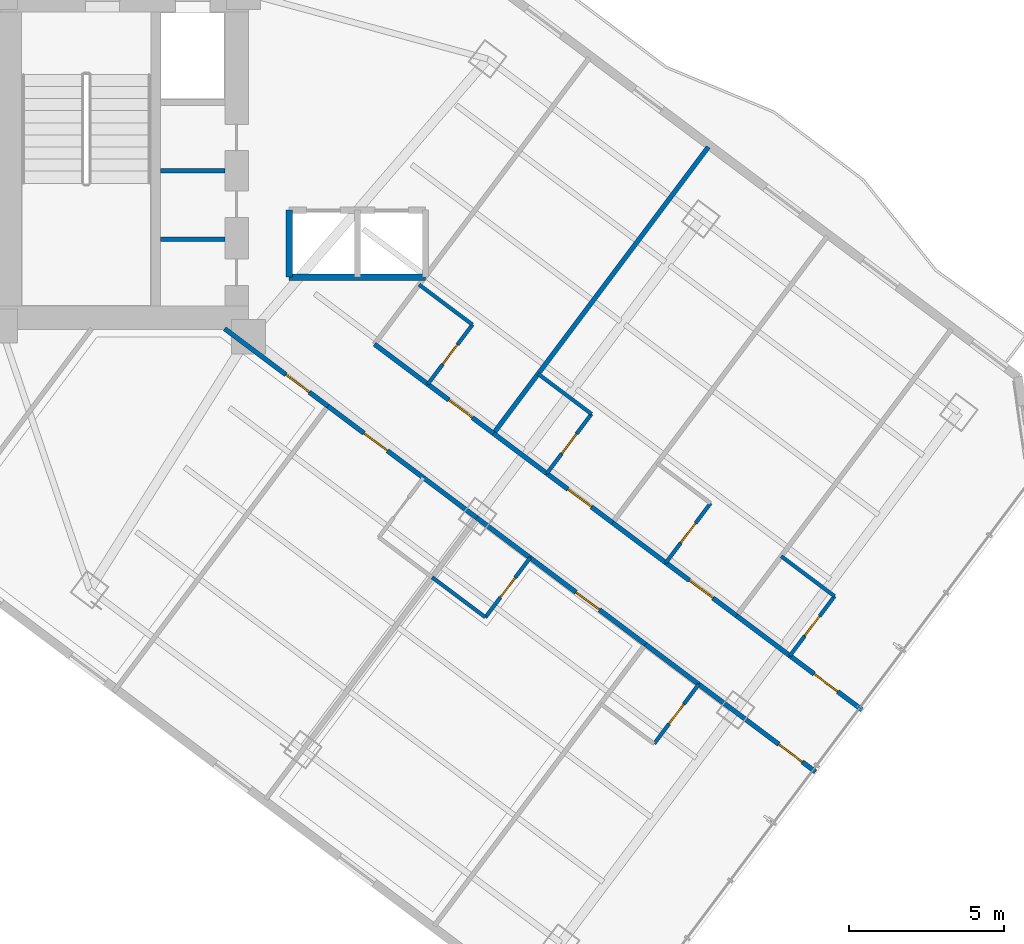
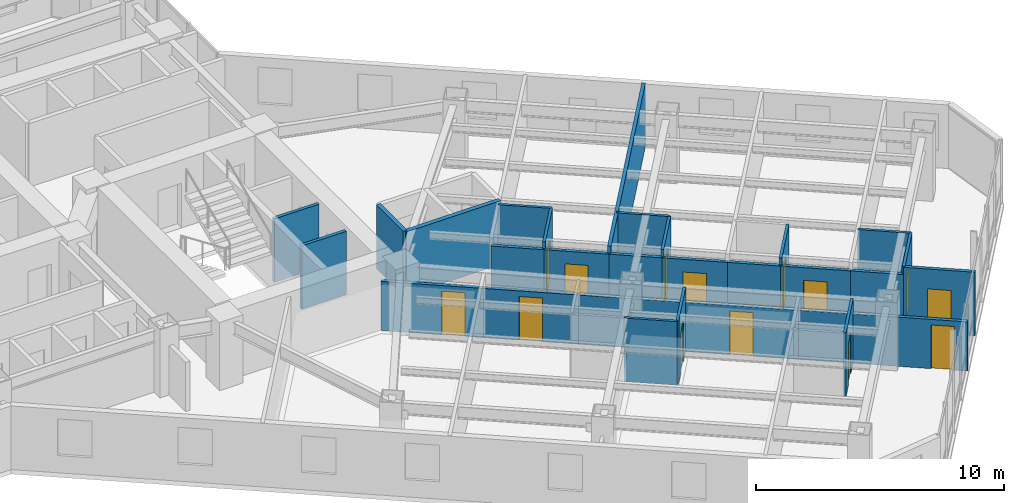
# One storey, part 23 of 31: 30 walls, 14 doors, 14 openings.
"""IFC4 building model written with IfcOpenShell, lengths in metres."""

import ifcopenshell
import ifcopenshell.guid

model = None  # the IFC model being written
_history = None  # IfcOwnerHistory: only IFC2X3 demands one
_inside = {}  # id of a spatial element -> (the spatial element, [elements in it])
_under = {}  # id of a project, library or spatial element -> (it, [spatial elements below it])
_declared = {}  # id of a project -> (the project, [libraries it declares])
_typed = {}  # id of a type object -> (the type object, [elements of that type])
_made_of = {}  # id of a material, layer set ... -> (it, [elements and type objects made of it])


def new_model(schema):
    """Start an empty IFC model of exactly this schema.

    Asked for "IFC4X3", IfcOpenShell would pick the latest addendum, in which some entities
    have other attributes; the version numbers below select the first issue.
    IFC2X3 requires an IfcOwnerHistory on every rooted entity: one is made here for all.
    """
    global model, _history
    if schema == "IFC4X3":
        model = ifcopenshell.file(schema_version=(4, 3, 0, 0))
    else:
        model = ifcopenshell.file(schema=schema)
    _inside.clear()
    _under.clear()
    _declared.clear()
    _typed.clear()
    _made_of.clear()
    _history = None
    if model.schema == "IFC2X3":
        org = make("IfcOrganization", Name="unknown")
        user = make(
            "IfcPersonAndOrganization",
            ThePerson=make("IfcPerson", FamilyName="unknown"),
            TheOrganization=org,
        )
        app = make(
            "IfcApplication",
            ApplicationDeveloper=org,
            Version="unknown",
            ApplicationFullName="unknown",
            ApplicationIdentifier="unknown",
        )
        _history = make(
            "IfcOwnerHistory",
            OwningUser=user,
            OwningApplication=app,
            ChangeAction="ADDED",
            CreationDate=0,
        )
    return model


def make(cls, **values):
    """One entity of the class cls with the attributes given. An attribute that is None is left unset."""
    return model.create_entity(
        cls, **{name: value for name, value in values.items() if value is not None}
    )


def rooted(cls, **values):
    """An entity with a GlobalId (a new one), such as an element, a storey or a relation."""
    return make(cls, GlobalId=ifcopenshell.guid.new(), OwnerHistory=_history, **values)


def si_unit(unit_type, name, prefix=None):
    """IfcSIUnit, for example si_unit("LENGTHUNIT", "METRE", prefix="MILLI")."""
    return make("IfcSIUnit", UnitType=unit_type, Prefix=prefix, Name=name)


def assignment(units):
    """IfcUnitAssignment: the units of a project."""
    return None if units is None else make("IfcUnitAssignment", Units=units)


def point(xyz):
    """IfcCartesianPoint."""
    return None if xyz is None else make("IfcCartesianPoint", Coordinates=xyz)


def direction(xyz):
    """IfcDirection."""
    return None if xyz is None else make("IfcDirection", DirectionRatios=xyz)


def frame(location, z_axis=None, x_axis=None):
    """IfcAxis2Placement3D, a coordinate frame: its origin and axes. An axis left out is left unset."""
    return make(
        "IfcAxis2Placement3D",
        Location=point(location),
        Axis=direction(z_axis),
        RefDirection=direction(x_axis),
    )


def frame_2d(location, x_axis=None):
    """IfcAxis2Placement2D, a coordinate frame in the plane: its origin and x axis."""
    return make(
        "IfcAxis2Placement2D", Location=point(location), RefDirection=direction(x_axis)
    )


def origin():
    """The frame at (0, 0, 0) with its axes left unset."""
    return frame((0.0, 0.0, 0.0))


def place(relative_to, where):
    """IfcLocalPlacement: puts the frame where relative to a parent placement (None: the world)."""
    return make(
        "IfcLocalPlacement", PlacementRelTo=relative_to, RelativePlacement=where
    )


def context(
    kind, dimensions, precision=None, world=None, true_north=None, identifier=None
):
    """IfcGeometricRepresentationContext, for example the 3D "Model" context."""
    return make(
        "IfcGeometricRepresentationContext",
        ContextIdentifier=identifier,
        ContextType=kind,
        CoordinateSpaceDimension=dimensions,
        Precision=precision,
        WorldCoordinateSystem=world,
        TrueNorth=true_north,
    )


def subcontext(parent, identifier, kind, view, scale=None):
    """IfcGeometricRepresentationSubContext, for example "Body" below "Model"."""
    return make(
        "IfcGeometricRepresentationSubContext",
        ContextIdentifier=identifier,
        ContextType=kind,
        ParentContext=parent,
        TargetScale=scale,
        TargetView=view,
    )


def project(units=None, contexts=None):
    """IfcProject with its units and contexts."""
    return rooted(
        "IfcProject",
        Name="project",
        RepresentationContexts=contexts,
        UnitsInContext=assignment(units),
    )


def spatial(cls, under=None, at=None, **own):
    """A site, building, storey or space (cls), placed at a placement, below another one or the project."""
    s = rooted(cls, ObjectPlacement=at, **own)
    if under is not None:
        _under.setdefault(under.id(), (under, []))[1].append(s)
    return s


def profile(cls, at=None, kind="AREA", **sizes):
    """A parametric profile (cls). Its sizes go by their IFC names, for example OverallWidth=200.0."""
    return make(cls, ProfileType=kind, Position=at, **sizes)


def rectangle(**sizes):
    """IfcRectangleProfileDef."""
    return profile("IfcRectangleProfileDef", **sizes)


def extrude(swept, where, along, depth):
    """IfcExtrudedAreaSolid: the profile swept, set in the frame where, extruded along a direction by depth."""
    return make(
        "IfcExtrudedAreaSolid",
        SweptArea=swept,
        Position=where,
        ExtrudedDirection=direction(along),
        Depth=depth,
    )


def shape(context_of_items, identifier, shape_type, items):
    """IfcShapeRepresentation: the items that make up one representation, for example the "Body"."""
    return make(
        "IfcShapeRepresentation",
        ContextOfItems=context_of_items,
        RepresentationIdentifier=identifier,
        RepresentationType=shape_type,
        Items=items,
    )


def material(Name=None, Category=None):
    """IfcMaterial."""
    return make("IfcMaterial", Name=Name, Category=Category)


def layer(
    of_material, thickness, ventilated=None, Name=None, Category=None, Priority=None
):
    """IfcMaterialLayer: one layer of a wall or slab, of a material (None: an air gap)."""
    return make(
        "IfcMaterialLayer",
        Material=of_material,
        LayerThickness=thickness,
        IsVentilated=ventilated,
        Name=Name,
        Category=Category,
        Priority=Priority,
    )


def layer_set(layers, Name=None):
    """IfcMaterialLayerSet."""
    return make("IfcMaterialLayerSet", MaterialLayers=layers, LayerSetName=Name)


def made_of(thing, what):
    """Note that an element or type object is made of a material, layer set ...; save() writes the relation."""
    if what is not None:
        _made_of.setdefault(what.id(), (what, []))[1].append(thing)
    return thing


def type_object(cls, material=None, **own):
    """A type object (cls), such as IfcWallType, which elements share."""
    return made_of(rooted(cls, **own), material)


def element(
    cls,
    number,
    at=None,
    inside=None,
    cuts=None,
    type_object=None,
    material=None,
    context=None,
    identifier="Body",
    shape_type=None,
    held_by="IfcProductDefinitionShape",
    body=None,
    shapes=None,
    **own,
):
    """One element of the class cls, such as IfcWall. Its Tag is "e" and its number.

    at: its placement. inside: the storey or other place that contains it. cuts: it is an
    opening in that element (IfcRelVoidsElement). A single representation is given by context,
    identifier, shape_type and body (its items); several are given by shapes. held_by: the class
    of the entity that holds the representations. save() writes the other relations.
    """
    e = rooted(cls, Tag="e%d" % number, ObjectPlacement=at, **own)
    if body is not None:
        shapes = [shape(context, identifier, shape_type, body)]
    if shapes is not None:
        e.Representation = make(held_by, Representations=shapes)
    if inside is not None:
        _inside.setdefault(inside.id(), (inside, []))[1].append(e)
    if cuts is not None:
        rooted(
            "IfcRelVoidsElement", RelatingBuildingElement=cuts, RelatedOpeningElement=e
        )
    if type_object is not None:
        _typed.setdefault(type_object.id(), (type_object, []))[1].append(e)
    return made_of(e, material)


def fill(opening, filler):
    """IfcRelFillsElement: the door or window that sits in an opening."""
    return rooted(
        "IfcRelFillsElement",
        RelatingOpeningElement=opening,
        RelatedBuildingElement=filler,
    )


def aggregate(whole, parts):
    """IfcRelAggregates: a whole, such as a stair, and the parts it consists of."""
    return rooted("IfcRelAggregates", RelatingObject=whole, RelatedObjects=parts)


def save(model, path):
    """Write the relations noted so far, then the file.

    IfcRelAggregates (storeys below a building ...), IfcRelContainedInSpatialStructure (elements
    in a storey), IfcRelDefinesByType, IfcRelAssociatesMaterial and IfcRelDeclares: one each for
    every whole, place, type object, material and project.
    """
    for whole, parts in _under.values():
        aggregate(whole, parts)
    for where, things in _inside.values():
        rooted(
            "IfcRelContainedInSpatialStructure",
            RelatedElements=things,
            RelatingStructure=where,
        )
    for kind, things in _typed.values():
        rooted("IfcRelDefinesByType", RelatedObjects=things, RelatingType=kind)
    for what, things in _made_of.values():
        rooted("IfcRelAssociatesMaterial", RelatedObjects=things, RelatingMaterial=what)
    for by, libraries in _declared.values():
        rooted("IfcRelDeclares", RelatingContext=by, RelatedDefinitions=libraries)
    model.write(path)


model = new_model("IFC4")

# Units and contexts
model_context = context("Model", 3, precision=1e-05, world=origin(), true_north=direction((0.0, 1.0)))
body_context = subcontext(model_context, "Body", "Model", "MODEL_VIEW")
ifc_project = project(units=[si_unit("LENGTHUNIT", "METRE"), si_unit("AREAUNIT", "SQUARE_METRE"), si_unit("VOLUMEUNIT", "CUBIC_METRE"), si_unit("PLANEANGLEUNIT", "RADIAN"), si_unit("MASSUNIT", "GRAM", prefix="KILO")], contexts=[model_context])

# Site, building, storey
site_placement = place(None, origin())
site = spatial("IfcSite", under=ifc_project, at=site_placement, CompositionType="ELEMENT")
building_placement = place(site_placement, origin())
building = spatial("IfcBuilding", under=site, at=building_placement, Name="Hatsunagi Terrace Concourse", CompositionType="ELEMENT")
storey_placement = place(building_placement, frame((0.0, 0.0, 81.300048828125)))
storey = spatial("IfcBuildingStorey", under=building, at=storey_placement, Name="L21", CompositionType="ELEMENT", Elevation=81.300048828125)

# Wall, opening, door
ifc_material_1 = material(Name="Acoustic mineral board", Category="gypsum")
ifc_layer_1 = layer(ifc_material_1, 0.1201171875)
ifc_layer_set_1 = layer_set([ifc_layer_1], Name="PartitionWall_EI30_120")
wall_type_1 = type_object("IfcWallType", Name="PartitionWall_EI30_120", PredefinedType="PARTITIONING", material=ifc_layer_set_1)
wall_1_placement = place(storey_placement, frame((49.590087890625, 22.669921875, 0.0), z_axis=(0.0, 0.0, 1.0), x_axis=(0.599951172744, 0.800036618114, 0.0)))
wall_1 = element("IfcWall", 1, at=wall_1_placement, inside=storey, type_object=wall_type_1, Name="Interior Partition IW-L21-068", PredefinedType="PARTITIONING", context=body_context, shape_type="SweptSolid", body=[
    extrude(rectangle(XDim=2.400146484375, YDim=0.1201171875, at=frame_2d((1.2001953125, 0.0))), origin(), (0.0, 0.0, 1.0), 3.1298828125),
])
opening_1_placement = place(wall_1_placement, frame((0.800048828125, 0.0, 0.0)))
opening_1 = element("IfcOpeningElement", 2, at=opening_1_placement, cuts=wall_1, Name="Opening DR-080", PredefinedType="OPENING", context=body_context, shape_type="SweptSolid", body=[
    extrude(rectangle(XDim=0.800048828125, YDim=2.06005859375, at=frame_2d((0.39990234375, 1.030029296875))), frame((0.0, 0.070068359375, 0.0), z_axis=(0.0, -1.0, 0.0), x_axis=(1.0, 0.0, 0.0)), (0.0, 0.0, 1.0), 0.14013671875),
])
ifc_material_2 = material(Name="Hardwood timber", Category="wood")
door_type_1 = type_object("IfcDoorType", Name="BathroomDoor_800", OperationType="NOTDEFINED", PredefinedType="DOOR", material=ifc_material_2)
door_1_placement = place(opening_1_placement, origin())
door_1 = element("IfcDoor", 3, at=door_1_placement, inside=storey, type_object=door_type_1, Name="En-Suite Bathroom L21-SENE1 Door", OperationType="SINGLE_SWING_LEFT", OverallHeight=2.06005859375, OverallWidth=0.800048828125, PredefinedType="DOOR", context=body_context, shape_type="SweptSolid", body=[
    extrude(rectangle(XDim=0.800048828125, YDim=2.06005859375, at=frame_2d((0.39990234375, 1.030029296875))), frame((0.0, 0.02490234375, 0.0), z_axis=(0.0, -1.0, 0.0), x_axis=(1.0, 0.0, 0.0)), (0.0, 0.0, 1.0), 0.050048828125),
])
fill(opening_1, door_1)

# Wall
wall_2_placement = place(storey_placement, frame((49.31005859375, 25.8798828125, 0.0), z_axis=(0.0, 0.0, 1.0), x_axis=(0.800040880289, -0.59994548908, 0.0)))
element("IfcWall", 4, at=wall_2_placement, inside=storey, type_object=wall_type_1, Name="Interior Partition IW-L21-069", PredefinedType="PARTITIONING", context=body_context, shape_type="SweptSolid", body=[
    extrude(rectangle(XDim=2.14990234375, YDim=0.1201171875, at=frame_2d((1.074951171875, 0.0))), origin(), (0.0, 0.0, 1.0), 3.1298828125),
])

# Wall, opening, door
wall_3_placement = place(storey_placement, frame((53.429931640625, 19.7900390625, 0.0), z_axis=(0.0, 0.0, 1.0), x_axis=(0.600065100855, 0.79995117022, 0.0)))
wall_3 = element("IfcWall", 5, at=wall_3_placement, inside=storey, type_object=wall_type_1, Name="Interior Partition IW-L21-074", PredefinedType="PARTITIONING", context=body_context, shape_type="SweptSolid", body=[
    extrude(rectangle(XDim=2.400146484375, YDim=0.1201171875, at=frame_2d((1.2001953125, 0.0))), origin(), (0.0, 0.0, 1.0), 3.1298828125),
])
opening_2_placement = place(wall_3_placement, frame((0.800048828125, 0.0, 0.0)))
opening_2 = element("IfcOpeningElement", 6, at=opening_2_placement, cuts=wall_3, Name="Opening DR-080", PredefinedType="OPENING", context=body_context, shape_type="SweptSolid", body=[
    extrude(rectangle(XDim=0.800048828125, YDim=2.06005859375, at=frame_2d((0.39990234375, 1.030029296875))), frame((0.0, 0.070068359375, 0.0), z_axis=(0.0, -1.0, 0.0), x_axis=(1.0, 0.0, 0.0)), (0.0, 0.0, 1.0), 0.14013671875),
])
door_2_placement = place(opening_2_placement, origin())
door_2 = element("IfcDoor", 7, at=door_2_placement, inside=storey, type_object=door_type_1, Name="En-Suite Bathroom L21-SENE2 Door", OperationType="SINGLE_SWING_RIGHT", OverallHeight=2.06005859375, OverallWidth=0.800048828125, PredefinedType="DOOR", context=body_context, shape_type="SweptSolid", body=[
    extrude(rectangle(XDim=0.800048828125, YDim=2.06005859375, at=frame_2d((0.39990234375, 1.030029296875))), frame((0.0, 0.02490234375, 0.0), z_axis=(0.0, -1.0, 0.0), x_axis=(1.0, 0.0, 0.0)), (0.0, 0.0, 1.0), 0.050048828125),
])
fill(opening_2, door_2)

# Wall
wall_4_placement = place(storey_placement, frame((53.14990234375, 23.0, 0.0), z_axis=(0.0, 0.0, 1.0), x_axis=(0.800027249606, -0.599963665473, 0.0)))
element("IfcWall", 8, at=wall_4_placement, inside=storey, type_object=wall_type_1, Name="Interior Partition IW-L21-075", PredefinedType="PARTITIONING", context=body_context, shape_type="SweptSolid", body=[
    extrude(rectangle(XDim=2.150146484375, YDim=0.1201171875, at=frame_2d((1.0751953125, 0.0))), origin(), (0.0, 0.0, 1.0), 3.1298828125),
])

# Wall, opening, door
wall_5_placement = place(storey_placement, frame((57.27001953125, 16.909912109375, 0.0), z_axis=(0.0, 0.0, 1.0), x_axis=(0.599951172744, 0.800036618114, 0.0)))
wall_5 = element("IfcWall", 9, at=wall_5_placement, inside=storey, type_object=wall_type_1, Name="Interior Partition IW-L21-079", PredefinedType="PARTITIONING", context=body_context, shape_type="SweptSolid", body=[
    extrude(rectangle(XDim=2.400146484375, YDim=0.1201171875, at=frame_2d((1.2001953125, 0.0))), origin(), (0.0, 0.0, 1.0), 3.1298828125),
])
opening_3_placement = place(wall_5_placement, frame((0.800048828125, 0.0, 0.0)))
opening_3 = element("IfcOpeningElement", 10, at=opening_3_placement, cuts=wall_5, Name="Opening DR-080", PredefinedType="OPENING", context=body_context, shape_type="SweptSolid", body=[
    extrude(rectangle(XDim=0.800048828125, YDim=2.06005859375, at=frame_2d((0.39990234375, 1.030029296875))), frame((0.0, 0.070068359375, 0.0), z_axis=(0.0, -1.0, 0.0), x_axis=(1.0, 0.0, 0.0)), (0.0, 0.0, 1.0), 0.14013671875),
])
door_3_placement = place(opening_3_placement, origin())
door_3 = element("IfcDoor", 11, at=door_3_placement, inside=storey, type_object=door_type_1, Name="En-Suite Bathroom L21-SENE3 Door", OperationType="SINGLE_SWING_LEFT", OverallHeight=2.06005859375, OverallWidth=0.800048828125, PredefinedType="DOOR", context=body_context, shape_type="SweptSolid", body=[
    extrude(rectangle(XDim=0.800048828125, YDim=2.06005859375, at=frame_2d((0.39990234375, 1.030029296875))), frame((0.0, 0.02490234375, 0.0), z_axis=(0.0, -1.0, 0.0), x_axis=(1.0, 0.0, 0.0)), (0.0, 0.0, 1.0), 0.050048828125),
])
fill(opening_3, door_3)

wall_6_placement = place(storey_placement, frame((61.27001953125, 13.909912109375, 0.0), z_axis=(0.0, 0.0, 1.0), x_axis=(0.599951172744, 0.800036618114, 0.0)))
wall_6 = element("IfcWall", 12, at=wall_6_placement, inside=storey, type_object=wall_type_1, Name="Interior Partition IW-L21-084", PredefinedType="PARTITIONING", context=body_context, shape_type="SweptSolid", body=[
    extrude(rectangle(XDim=2.400146484375, YDim=0.1201171875, at=frame_2d((1.2001953125, 0.0))), origin(), (0.0, 0.0, 1.0), 3.1298828125),
])
opening_4_placement = place(wall_6_placement, frame((0.800048828125, 0.0, 0.0)))
opening_4 = element("IfcOpeningElement", 13, at=opening_4_placement, cuts=wall_6, Name="Opening DR-080", PredefinedType="OPENING", context=body_context, shape_type="SweptSolid", body=[
    extrude(rectangle(XDim=0.800048828125, YDim=2.06005859375, at=frame_2d((0.39990234375, 1.030029296875))), frame((0.0, 0.070068359375, 0.0), z_axis=(0.0, -1.0, 0.0), x_axis=(1.0, 0.0, 0.0)), (0.0, 0.0, 1.0), 0.14013671875),
])
door_4_placement = place(opening_4_placement, origin())
door_4 = element("IfcDoor", 14, at=door_4_placement, inside=storey, type_object=door_type_1, Name="En-Suite Bathroom L21-SENE4 Door", OperationType="SINGLE_SWING_RIGHT", OverallHeight=2.06005859375, OverallWidth=0.800048828125, PredefinedType="DOOR", context=body_context, shape_type="SweptSolid", body=[
    extrude(rectangle(XDim=0.800048828125, YDim=2.06005859375, at=frame_2d((0.39990234375, 1.030029296875))), frame((0.0, 0.02490234375, 0.0), z_axis=(0.0, -1.0, 0.0), x_axis=(1.0, 0.0, 0.0)), (0.0, 0.0, 1.0), 0.050048828125),
])
fill(opening_4, door_4)

# Wall
wall_7_placement = place(storey_placement, frame((60.989990234375, 17.1201171875, 0.0), z_axis=(0.0, 0.0, 1.0), x_axis=(0.79998637334, -0.60001816845, 0.0)))
element("IfcWall", 15, at=wall_7_placement, inside=storey, type_object=wall_type_1, Name="Interior Partition IW-L21-085", PredefinedType="PARTITIONING", context=body_context, shape_type="SweptSolid", body=[
    extrude(rectangle(XDim=2.14990234375, YDim=0.1201171875, at=frame_2d((1.074951171875, 0.0))), origin(), (0.0, 0.0, 1.0), 3.1298828125),
])

# Wall, opening, door
wall_8_placement = place(storey_placement, frame((51.449951171875, 15.14990234375, 0.0), z_axis=(0.0, 0.0, 1.0), x_axis=(0.599951172744, 0.800036618114, 0.0)))
wall_8 = element("IfcWall", 16, at=wall_8_placement, inside=storey, type_object=wall_type_1, Name="Interior Partition IW-L21-093", PredefinedType="PARTITIONING", context=body_context, shape_type="SweptSolid", body=[
    extrude(rectangle(XDim=2.400146484375, YDim=0.1201171875, at=frame_2d((1.2001953125, 0.0))), origin(), (0.0, 0.0, 1.0), 3.1298828125),
])
opening_5_placement = place(wall_8_placement, frame((0.800048828125, 0.0, 0.0)))
opening_5 = element("IfcOpeningElement", 17, at=opening_5_placement, cuts=wall_8, Name="Opening DR-080", PredefinedType="OPENING", context=body_context, shape_type="SweptSolid", body=[
    extrude(rectangle(XDim=0.800048828125, YDim=2.06005859375, at=frame_2d((0.39990234375, 1.030029296875))), frame((0.0, 0.070068359375, 0.0), z_axis=(0.0, -1.0, 0.0), x_axis=(1.0, 0.0, 0.0)), (0.0, 0.0, 1.0), 0.14013671875),
])
door_5_placement = place(opening_5_placement, origin())
door_5 = element("IfcDoor", 18, at=door_5_placement, inside=storey, type_object=door_type_1, Name="En-Suite Bathroom L21-SESW2 Door", OperationType="SINGLE_SWING_RIGHT", OverallHeight=2.06005859375, OverallWidth=0.800048828125, PredefinedType="DOOR", context=body_context, shape_type="SweptSolid", body=[
    extrude(rectangle(XDim=0.800048828125, YDim=2.06005859375, at=frame_2d((0.39990234375, 1.030029296875))), frame((0.0, 0.02490234375, 0.0), z_axis=(0.0, -1.0, 0.0), x_axis=(1.0, 0.0, 0.0)), (0.0, 0.0, 1.0), 0.050048828125),
])
fill(opening_5, door_5)

# Wall
wall_9_placement = place(storey_placement, frame((49.72998046875, 16.43994140625, 0.0), z_axis=(0.0, 0.0, 1.0), x_axis=(0.79998637334, -0.60001816845, 0.0)))
element("IfcWall", 19, at=wall_9_placement, inside=storey, type_object=wall_type_1, Name="Interior Partition IW-L21-094", PredefinedType="PARTITIONING", context=body_context, shape_type="SweptSolid", body=[
    extrude(rectangle(XDim=2.14990234375, YDim=0.1201171875, at=frame_2d((1.074951171875, 0.0))), origin(), (0.0, 0.0, 1.0), 3.1298828125),
])

# Wall, opening, door
wall_10_placement = place(storey_placement, frame((56.889892578125, 11.070068359375, 0.0), z_axis=(0.0, 0.0, 1.0), x_axis=(0.600065100855, 0.79995117022, 0.0)))
wall_10 = element("IfcWall", 20, at=wall_10_placement, inside=storey, type_object=wall_type_1, Name="Interior Partition IW-L21-098", PredefinedType="PARTITIONING", context=body_context, shape_type="SweptSolid", body=[
    extrude(rectangle(XDim=2.400146484375, YDim=0.1201171875, at=frame_2d((1.2001953125, 0.0))), origin(), (0.0, 0.0, 1.0), 3.1298828125),
])
opening_6_placement = place(wall_10_placement, frame((0.800048828125, 0.0, 0.0)))
opening_6 = element("IfcOpeningElement", 21, at=opening_6_placement, cuts=wall_10, Name="Opening DR-080", PredefinedType="OPENING", context=body_context, shape_type="SweptSolid", body=[
    extrude(rectangle(XDim=0.800048828125, YDim=2.06005859375, at=frame_2d((0.39990234375, 1.030029296875))), frame((0.0, 0.070068359375, 0.0), z_axis=(0.0, -1.0, 0.0), x_axis=(1.0, 0.0, 0.0)), (0.0, 0.0, 1.0), 0.14013671875),
])
door_6_placement = place(opening_6_placement, origin())
door_6 = element("IfcDoor", 22, at=door_6_placement, inside=storey, type_object=door_type_1, Name="En-Suite Bathroom L21-SESW3 Door", OperationType="SINGLE_SWING_LEFT", OverallHeight=2.06005859375, OverallWidth=0.800048828125, PredefinedType="DOOR", context=body_context, shape_type="SweptSolid", body=[
    extrude(rectangle(XDim=0.800048828125, YDim=2.06005859375, at=frame_2d((0.39990234375, 1.030029296875))), frame((0.0, 0.02490234375, 0.0), z_axis=(0.0, -1.0, 0.0), x_axis=(1.0, 0.0, 0.0)), (0.0, 0.0, 1.0), 0.050048828125),
])
fill(opening_6, door_6)

# Walls
ifc_material_3 = material(Name="Acoustic mineral board", Category="gypsum")
ifc_layer_2 = layer(ifc_material_3, 0.14990234375)
ifc_layer_set_2 = layer_set([ifc_layer_2], Name="PartitionWall_EI60_150")
wall_type_2 = type_object("IfcWallType", Name="PartitionWall_EI60_150", PredefinedType="PARTITIONING", material=ifc_layer_set_2)
for number, where, z_axis, x_axis, name in (
    (23, (40.969970703125, 27.35009765625, 0.0), (0.0, 0.0, 1.0), (1.0, 0.0, 0.0), "Interior Partition IW-L21-005"),
    (24, (40.969970703125, 29.550048828125, 0.0), (0.0, 0.0, 1.0), (1.0, 0.0, 0.0), "Interior Partition IW-L21-006"),
):
    element("IfcWall", number, at=place(storey_placement, frame(where, z_axis=z_axis, x_axis=x_axis)), inside=storey, type_object=wall_type_2, Name=name, PredefinedType="PARTITIONING", context=body_context, shape_type="SweptSolid", body=[
        extrude(rectangle(XDim=2.080078125, YDim=0.14990234375, at=frame_2d((1.0400390625, 0.0))), origin(), (0.0, 0.0, 1.0), 3.1298828125),
    ])

# Wall, opening, door
wall_11_placement = place(storey_placement, frame((43.037109375, 24.4599609375, 0.0), z_axis=(0.0, 0.0, 1.0), x_axis=(0.799971872363, -0.600037501685, 0.0)))
wall_11 = element("IfcWall", 25, at=wall_11_placement, inside=storey, type_object=wall_type_2, Name="Interior Partition IW-L21-043", PredefinedType="PARTITIONING", context=body_context, shape_type="SweptSolid", body=[
    extrude(rectangle(XDim=4.16650390625, YDim=0.14990234375, at=frame_2d((2.083251953125, 0.0))), origin(), (0.0, 0.0, 1.0), 2.425048828125),
])
opening_7_placement = place(wall_11_placement, frame((2.468017578125, 0.0, 0.0)))
opening_7 = element("IfcOpeningElement", 26, at=opening_7_placement, cuts=wall_11, Name="Opening DR-095", PredefinedType="OPENING", context=body_context, shape_type="SweptSolid", body=[
    extrude(rectangle(XDim=0.949951171875, YDim=2.14990234375, at=frame_2d((0.47509765625, 1.074951171875))), frame((0.0, 0.0849609375, 0.0), z_axis=(0.0, -1.0, 0.0), x_axis=(1.0, 0.0, 0.0)), (0.0, 0.0, 1.0), 0.169921875),
])
ifc_material_4 = material(Name="Hardwood timber", Category="wood")
door_type_2 = type_object("IfcDoorType", Name="InteriorSuiteDoor_EI30_950", OperationType="NOTDEFINED", PredefinedType="DOOR", material=ifc_material_4)
door_7_placement = place(opening_7_placement, origin())
door_7 = element("IfcDoor", 27, at=door_7_placement, inside=storey, type_object=door_type_2, Name="Meeting Room L21-HMTG Door", OperationType="SINGLE_SWING_RIGHT", OverallHeight=2.14990234375, OverallWidth=0.949951171875, PredefinedType="DOOR", context=body_context, shape_type="SweptSolid", body=[
    extrude(rectangle(XDim=0.949951171875, YDim=2.14990234375, at=frame_2d((0.47509765625, 1.074951171875))), frame((0.0, 0.02490234375, 0.0), z_axis=(0.0, -1.0, 0.0), x_axis=(1.0, 0.0, 0.0)), (0.0, 0.0, 1.0), 0.050048828125),
])
fill(opening_7, door_7)

# Wall
wall_12_placement = place(storey_placement, frame((47.8701171875, 23.9599609375, 0.0), z_axis=(0.0, 0.0, 1.0), x_axis=(0.79998637334, -0.60001816845, 0.0)))
element("IfcWall", 28, at=wall_12_placement, inside=storey, type_object=wall_type_2, Name="Interior Partition IW-L21-066", PredefinedType="PARTITIONING", context=body_context, shape_type="SweptSolid", body=[
    extrude(rectangle(XDim=2.14990234375, YDim=0.14990234375, at=frame_2d((1.074951171875, 0.0))), origin(), (0.0, 0.0, 1.0), 2.77490234375),
])

# Wall, opening, door
wall_13_placement = place(storey_placement, frame((49.590087890625, 22.669921875, 0.0), z_axis=(0.0, 0.0, 1.0), x_axis=(0.800011056104, -0.599985258246, 0.0)))
wall_13 = element("IfcWall", 29, at=wall_13_placement, inside=storey, type_object=wall_type_2, Name="Interior Partition IW-L21-067", PredefinedType="PARTITIONING", context=body_context, shape_type="SweptSolid", body=[
    extrude(rectangle(XDim=2.64990234375, YDim=0.14990234375, at=frame_2d((1.324951171875, 0.0))), origin(), (0.0, 0.0, 1.0), 2.77490234375),
])
opening_8_placement = place(wall_13_placement, frame((0.85009765625, 0.0, 0.0)))
opening_8 = element("IfcOpeningElement", 30, at=opening_8_placement, cuts=wall_13, Name="Opening DR-095", PredefinedType="OPENING", context=body_context, shape_type="SweptSolid", body=[
    extrude(rectangle(XDim=0.949951171875, YDim=2.14990234375, at=frame_2d((0.47509765625, 1.074951171875))), frame((0.0, 0.0849609375, 0.0), z_axis=(0.0, -1.0, 0.0), x_axis=(1.0, 0.0, 0.0)), (0.0, 0.0, 1.0), 0.169921875),
])
door_8_placement = place(opening_8_placement, origin())
door_8 = element("IfcDoor", 31, at=door_8_placement, inside=storey, type_object=door_type_2, Name="Hotel Guest Room L21-SENE1 Door", OperationType="SINGLE_SWING_LEFT", OverallHeight=2.14990234375, OverallWidth=0.949951171875, PredefinedType="DOOR", context=body_context, shape_type="SweptSolid", body=[
    extrude(rectangle(XDim=0.949951171875, YDim=2.14990234375, at=frame_2d((0.47509765625, 1.074951171875))), frame((0.0, 0.02490234375, 0.0), z_axis=(0.0, -1.0, 0.0), x_axis=(1.0, 0.0, 0.0)), (0.0, 0.0, 1.0), 0.050048828125),
])
fill(opening_8, door_8)

# Walls
wall_14_placement = place(storey_placement, frame((51.7099609375, 21.080078125, 0.0), z_axis=(0.0, 0.0, 1.0), x_axis=(0.599996617946, 0.80000253653, 0.0)))
element("IfcWall", 32, at=wall_14_placement, inside=storey, type_object=wall_type_2, Name="Interior Partition IW-L21-071", PredefinedType="PARTITIONING", context=body_context, shape_type="SweptSolid", body=[
    extrude(rectangle(XDim=11.550048828125, YDim=0.14990234375, at=frame_2d((5.77490234375, 0.0))), origin(), (0.0, 0.0, 1.0), 3.1298828125),
])
wall_15_placement = place(storey_placement, frame((51.7099609375, 21.080078125, 0.0), z_axis=(0.0, 0.0, 1.0), x_axis=(0.79998637334, -0.60001816845, 0.0)))
element("IfcWall", 33, at=wall_15_placement, inside=storey, type_object=wall_type_2, Name="Interior Partition IW-L21-072", PredefinedType="PARTITIONING", context=body_context, shape_type="SweptSolid", body=[
    extrude(rectangle(XDim=2.14990234375, YDim=0.14990234375, at=frame_2d((1.074951171875, 0.0))), origin(), (0.0, 0.0, 1.0), 2.77490234375),
])

# Wall, opening, door
wall_16_placement = place(storey_placement, frame((53.429931640625, 19.7900390625, 0.0), z_axis=(0.0, 0.0, 1.0), x_axis=(0.8, -0.6, 0.0)))
wall_16 = element("IfcWall", 34, at=wall_16_placement, inside=storey, type_object=wall_type_2, Name="Interior Partition IW-L21-073", PredefinedType="PARTITIONING", context=body_context, shape_type="SweptSolid", body=[
    extrude(rectangle(XDim=2.650146484375, YDim=0.14990234375, at=frame_2d((1.3251953125, 0.0))), origin(), (0.0, 0.0, 1.0), 2.77490234375),
])
opening_9_placement = place(wall_16_placement, frame((0.85009765625, 0.0, 0.0)))
opening_9 = element("IfcOpeningElement", 35, at=opening_9_placement, cuts=wall_16, Name="Opening DR-095", PredefinedType="OPENING", context=body_context, shape_type="SweptSolid", body=[
    extrude(rectangle(XDim=0.949951171875, YDim=2.14990234375, at=frame_2d((0.47509765625, 1.074951171875))), frame((0.0, 0.0849609375, 0.0), z_axis=(0.0, -1.0, 0.0), x_axis=(1.0, 0.0, 0.0)), (0.0, 0.0, 1.0), 0.169921875),
])
door_9_placement = place(opening_9_placement, origin())
door_9 = element("IfcDoor", 36, at=door_9_placement, inside=storey, type_object=door_type_2, Name="Hotel Guest Room L21-SENE2 Door", OperationType="SINGLE_SWING_LEFT", OverallHeight=2.14990234375, OverallWidth=0.949951171875, PredefinedType="DOOR", context=body_context, shape_type="SweptSolid", body=[
    extrude(rectangle(XDim=0.949951171875, YDim=2.14990234375, at=frame_2d((0.47509765625, 1.074951171875))), frame((0.0, 0.02490234375, 0.0), z_axis=(0.0, -1.0, 0.0), x_axis=(1.0, 0.0, 0.0)), (0.0, 0.0, 1.0), 0.050048828125),
])
fill(opening_9, door_9)

# Wall
wall_17_placement = place(storey_placement, frame((55.550048828125, 18.199951171875, 0.0), z_axis=(0.0, 0.0, 1.0), x_axis=(0.79998637334, -0.60001816845, 0.0)))
element("IfcWall", 37, at=wall_17_placement, inside=storey, type_object=wall_type_2, Name="Interior Partition IW-L21-077", PredefinedType="PARTITIONING", context=body_context, shape_type="SweptSolid", body=[
    extrude(rectangle(XDim=2.14990234375, YDim=0.14990234375, at=frame_2d((1.074951171875, 0.0))), origin(), (0.0, 0.0, 1.0), 2.77490234375),
])

# Wall, opening, door
wall_18_placement = place(storey_placement, frame((57.27001953125, 16.909912109375, 0.0), z_axis=(0.0, 0.0, 1.0), x_axis=(0.800010279488, -0.599986293772, 0.0)))
wall_18 = element("IfcWall", 38, at=wall_18_placement, inside=storey, type_object=wall_type_2, Name="Interior Partition IW-L21-078", PredefinedType="PARTITIONING", context=body_context, shape_type="SweptSolid", body=[
    extrude(rectangle(XDim=2.85009765625, YDim=0.14990234375, at=frame_2d((1.425048828125, 0.0))), origin(), (0.0, 0.0, 1.0), 2.77490234375),
])
opening_10_placement = place(wall_18_placement, frame((0.949951171875, 0.0, 0.0)))
opening_10 = element("IfcOpeningElement", 39, at=opening_10_placement, cuts=wall_18, Name="Opening DR-095", PredefinedType="OPENING", context=body_context, shape_type="SweptSolid", body=[
    extrude(rectangle(XDim=0.949951171875, YDim=2.14990234375, at=frame_2d((0.47509765625, 1.074951171875))), frame((0.0, 0.0849609375, 0.0), z_axis=(0.0, -1.0, 0.0), x_axis=(1.0, 0.0, 0.0)), (0.0, 0.0, 1.0), 0.169921875),
])
door_10_placement = place(opening_10_placement, origin())
door_10 = element("IfcDoor", 40, at=door_10_placement, inside=storey, type_object=door_type_2, Name="Hotel Guest Room L21-SENE3 Door", OperationType="SINGLE_SWING_LEFT", OverallHeight=2.14990234375, OverallWidth=0.949951171875, PredefinedType="DOOR", context=body_context, shape_type="SweptSolid", body=[
    extrude(rectangle(XDim=0.949951171875, YDim=2.14990234375, at=frame_2d((0.47509765625, 1.074951171875))), frame((0.0, 0.02490234375, 0.0), z_axis=(0.0, -1.0, 0.0), x_axis=(1.0, 0.0, 0.0)), (0.0, 0.0, 1.0), 0.050048828125),
])
fill(opening_10, door_10)

# Wall
wall_19_placement = place(storey_placement, frame((59.550048828125, 15.199951171875, 0.0), z_axis=(0.0, 0.0, 1.0), x_axis=(0.79998637334, -0.60001816845, 0.0)))
element("IfcWall", 41, at=wall_19_placement, inside=storey, type_object=wall_type_2, Name="Interior Partition IW-L21-082", PredefinedType="PARTITIONING", context=body_context, shape_type="SweptSolid", body=[
    extrude(rectangle(XDim=2.14990234375, YDim=0.14990234375, at=frame_2d((1.074951171875, 0.0))), origin(), (0.0, 0.0, 1.0), 2.77490234375),
])

# Wall, opening, door
wall_20_placement = place(storey_placement, frame((61.27001953125, 13.909912109375, 0.0), z_axis=(0.0, 0.0, 1.0), x_axis=(0.800010068184, -0.59998657552, 0.0)))
wall_20 = element("IfcWall", 42, at=wall_20_placement, inside=storey, type_object=wall_type_2, Name="Interior Partition IW-L21-083", PredefinedType="PARTITIONING", context=body_context, shape_type="SweptSolid", body=[
    extrude(rectangle(XDim=2.909912109375, YDim=0.14990234375, at=frame_2d((1.455078125, 0.0))), origin(), (0.0, 0.0, 1.0), 3.1298828125),
])
opening_11_placement = place(wall_20_placement, frame((0.97998046875, 0.0, 0.0)))
opening_11 = element("IfcOpeningElement", 43, at=opening_11_placement, cuts=wall_20, Name="Opening DR-095", PredefinedType="OPENING", context=body_context, shape_type="SweptSolid", body=[
    extrude(rectangle(XDim=0.949951171875, YDim=2.14990234375, at=frame_2d((0.47509765625, 1.074951171875))), frame((0.0, 0.0849609375, 0.0), z_axis=(0.0, -1.0, 0.0), x_axis=(1.0, 0.0, 0.0)), (0.0, 0.0, 1.0), 0.169921875),
])
door_11_placement = place(opening_11_placement, origin())
door_11 = element("IfcDoor", 44, at=door_11_placement, inside=storey, type_object=door_type_2, Name="Hotel Guest Room L21-SENE4 Door", OperationType="SINGLE_SWING_LEFT", OverallHeight=2.14990234375, OverallWidth=0.949951171875, PredefinedType="DOOR", context=body_context, shape_type="SweptSolid", body=[
    extrude(rectangle(XDim=0.949951171875, YDim=2.14990234375, at=frame_2d((0.47509765625, 1.074951171875))), frame((0.0, 0.02490234375, 0.0), z_axis=(0.0, -1.0, 0.0), x_axis=(1.0, 0.0, 0.0)), (0.0, 0.0, 1.0), 0.050048828125),
])
fill(opening_11, door_11)

wall_21_placement = place(storey_placement, frame((46.3701171875, 21.9599609375, 0.0), z_axis=(0.0, 0.0, 1.0), x_axis=(0.799977170108, -0.600030438649, 0.0)))
wall_21 = element("IfcWall", 45, at=wall_21_placement, inside=storey, type_object=wall_type_2, Name="Interior Partition IW-L21-086", PredefinedType="PARTITIONING", context=body_context, shape_type="SweptSolid", body=[
    extrude(rectangle(XDim=3.849853515625, YDim=0.14990234375, at=frame_2d((1.9248046875, 0.0))), origin(), (0.0, 0.0, 1.0), 2.425048828125),
])
opening_12_placement = place(wall_21_placement, frame((1.449951171875, 0.0, 0.0)))
opening_12 = element("IfcOpeningElement", 46, at=opening_12_placement, cuts=wall_21, Name="Opening DR-095", PredefinedType="OPENING", context=body_context, shape_type="SweptSolid", body=[
    extrude(rectangle(XDim=0.949951171875, YDim=2.14990234375, at=frame_2d((0.47509765625, 1.074951171875))), frame((0.0, 0.0849609375, 0.0), z_axis=(0.0, -1.0, 0.0), x_axis=(1.0, 0.0, 0.0)), (0.0, 0.0, 1.0), 0.169921875),
])
door_12_placement = place(opening_12_placement, origin())
door_12 = element("IfcDoor", 47, at=door_12_placement, inside=storey, type_object=door_type_2, Name="Hotel Guest Room L21-SESW1 Door", OperationType="SINGLE_SWING_RIGHT", OverallHeight=2.14990234375, OverallWidth=0.949951171875, PredefinedType="DOOR", context=body_context, shape_type="SweptSolid", body=[
    extrude(rectangle(XDim=0.949951171875, YDim=2.14990234375, at=frame_2d((0.47509765625, 1.074951171875))), frame((0.0, 0.02490234375, 0.0), z_axis=(0.0, -1.0, 0.0), x_axis=(1.0, 0.0, 0.0)), (0.0, 0.0, 1.0), 0.050048828125),
])
fill(opening_12, door_12)

# Walls
for number, where, z_axis, x_axis, name in (
    (48, (49.449951171875, 19.64990234375, 0.0), (0.0, 0.0, 1.0), (0.800040880289, -0.59994548908, 0.0), "Interior Partition IW-L21-087"),
    (49, (51.169921875, 18.360107421875, 0.0), (0.0, 0.0, 1.0), (0.79998637334, -0.60001816845, 0.0), "Interior Partition IW-L21-091"),
):
    element("IfcWall", number, at=place(storey_placement, frame(where, z_axis=z_axis, x_axis=x_axis)), inside=storey, type_object=wall_type_2, Name=name, PredefinedType="PARTITIONING", context=body_context, shape_type="SweptSolid", body=[
        extrude(rectangle(XDim=2.14990234375, YDim=0.14990234375, at=frame_2d((1.074951171875, 0.0))), origin(), (0.0, 0.0, 1.0), 2.425048828125),
    ])

# Wall, opening, door
wall_22_placement = place(storey_placement, frame((52.889892578125, 17.070068359375, 0.0), z_axis=(0.0, 0.0, 1.0), x_axis=(0.800012600101, -0.599983199498, 0.0)))
wall_22 = element("IfcWall", 50, at=wall_22_placement, inside=storey, type_object=wall_type_2, Name="Interior Partition IW-L21-092", PredefinedType="PARTITIONING", context=body_context, shape_type="SweptSolid", body=[
    extrude(rectangle(XDim=4.650146484375, YDim=0.14990234375, at=frame_2d((2.3251953125, 0.0))), origin(), (0.0, 0.0, 1.0), 2.425048828125),
])
opening_13_placement = place(wall_22_placement, frame((1.85009765625, 0.0, 0.0)))
opening_13 = element("IfcOpeningElement", 51, at=opening_13_placement, cuts=wall_22, Name="Opening DR-095", PredefinedType="OPENING", context=body_context, shape_type="SweptSolid", body=[
    extrude(rectangle(XDim=0.949951171875, YDim=2.14990234375, at=frame_2d((0.47509765625, 1.074951171875))), frame((0.0, 0.0849609375, 0.0), z_axis=(0.0, -1.0, 0.0), x_axis=(1.0, 0.0, 0.0)), (0.0, 0.0, 1.0), 0.169921875),
])
door_13_placement = place(opening_13_placement, origin())
door_13 = element("IfcDoor", 52, at=door_13_placement, inside=storey, type_object=door_type_2, Name="Corner Hotel Suite L21-SESW2 Door", OperationType="SINGLE_SWING_RIGHT", OverallHeight=2.14990234375, OverallWidth=0.949951171875, PredefinedType="DOOR", context=body_context, shape_type="SweptSolid", body=[
    extrude(rectangle(XDim=0.949951171875, YDim=2.14990234375, at=frame_2d((0.47509765625, 1.074951171875))), frame((0.0, 0.02490234375, 0.0), z_axis=(0.0, -1.0, 0.0), x_axis=(1.0, 0.0, 0.0)), (0.0, 0.0, 1.0), 0.050048828125),
])
fill(opening_13, door_13)

# Wall
wall_23_placement = place(storey_placement, frame((56.610107421875, 14.280029296875, 0.0), z_axis=(0.0, 0.0, 1.0), x_axis=(0.79998637334, -0.60001816845, 0.0)))
element("IfcWall", 53, at=wall_23_placement, inside=storey, type_object=wall_type_2, Name="Interior Partition IW-L21-096", PredefinedType="PARTITIONING", context=body_context, shape_type="SweptSolid", body=[
    extrude(rectangle(XDim=2.14990234375, YDim=0.14990234375, at=frame_2d((1.074951171875, 0.0))), origin(), (0.0, 0.0, 1.0), 2.425048828125),
])

# Wall, opening, door
wall_24_placement = place(storey_placement, frame((58.330078125, 12.989990234375, 0.0), z_axis=(0.0, 0.0, 1.0), x_axis=(0.799993779569, -0.600008293819, 0.0)))
wall_24 = element("IfcWall", 54, at=wall_24_placement, inside=storey, type_object=wall_type_2, Name="Interior Partition IW-L21-097", PredefinedType="PARTITIONING", context=body_context, shape_type="SweptSolid", body=[
    extrude(rectangle(XDim=4.709716796875, YDim=0.14990234375, at=frame_2d((2.35498046875, 0.0))), origin(), (0.0, 0.0, 1.0), 2.425048828125),
])
opening_14_placement = place(wall_24_placement, frame((3.22998046875, 0.0, 0.0)))
opening_14 = element("IfcOpeningElement", 55, at=opening_14_placement, cuts=wall_24, Name="Opening DR-095", PredefinedType="OPENING", context=body_context, shape_type="SweptSolid", body=[
    extrude(rectangle(XDim=0.949951171875, YDim=2.14990234375, at=frame_2d((0.47509765625, 1.074951171875))), frame((0.0, 0.0849609375, 0.0), z_axis=(0.0, -1.0, 0.0), x_axis=(1.0, 0.0, 0.0)), (0.0, 0.0, 1.0), 0.169921875),
])
door_14_placement = place(opening_14_placement, origin())
door_14 = element("IfcDoor", 56, at=door_14_placement, inside=storey, type_object=door_type_2, Name="Corner Hotel Suite L21-SESW3 Door", OperationType="SINGLE_SWING_RIGHT", OverallHeight=2.14990234375, OverallWidth=0.949951171875, PredefinedType="DOOR", context=body_context, shape_type="SweptSolid", body=[
    extrude(rectangle(XDim=0.949951171875, YDim=2.14990234375, at=frame_2d((0.47509765625, 1.074951171875))), frame((0.0, 0.02490234375, 0.0), z_axis=(0.0, -1.0, 0.0), x_axis=(1.0, 0.0, 0.0)), (0.0, 0.0, 1.0), 0.050048828125),
])
fill(opening_14, door_14)

# Walls
ifc_material_5 = material(Name="Acoustic mineral board", Category="gypsum")
ifc_layer_3 = layer(ifc_material_5, 0.199951171875)
ifc_layer_set_3 = layer_set([ifc_layer_3], Name="ShaftWall_EI120_200")
wall_type_3 = type_object("IfcWallType", Name="ShaftWall_EI120_200", PredefinedType="STANDARD", material=ifc_layer_set_3)
wall_25_placement = place(storey_placement, frame((45.1201171875, 26.1201171875, 0.0), z_axis=(0.0, 0.0, 1.0), x_axis=(1.0, 0.0, 0.0)))
element("IfcWall", 57, at=wall_25_placement, inside=storey, type_object=wall_type_3, Name="Interior Partition IW-L21-026", PredefinedType="STANDARD", context=body_context, shape_type="SweptSolid", body=[
    extrude(rectangle(XDim=4.39990234375, YDim=0.199951171875, at=frame_2d((2.199951171875, 0.0))), origin(), (0.0, 0.0, 1.0), 3.1298828125),
])
wall_26_placement = place(storey_placement, frame((45.1201171875, 26.1201171875, 0.0), z_axis=(0.0, 0.0, 1.0), x_axis=(0.0, 1.0, 0.0)))
element("IfcWall", 58, at=wall_26_placement, inside=storey, type_object=wall_type_3, Name="Interior Partition IW-L21-027", PredefinedType="STANDARD", context=body_context, shape_type="SweptSolid", body=[
    extrude(rectangle(XDim=2.159912109375, YDim=0.199951171875, at=frame_2d((1.080078125, 0.0))), origin(), (0.0, 0.0, 1.0), 3.1298828125),
])

save(model, "model.ifc")
